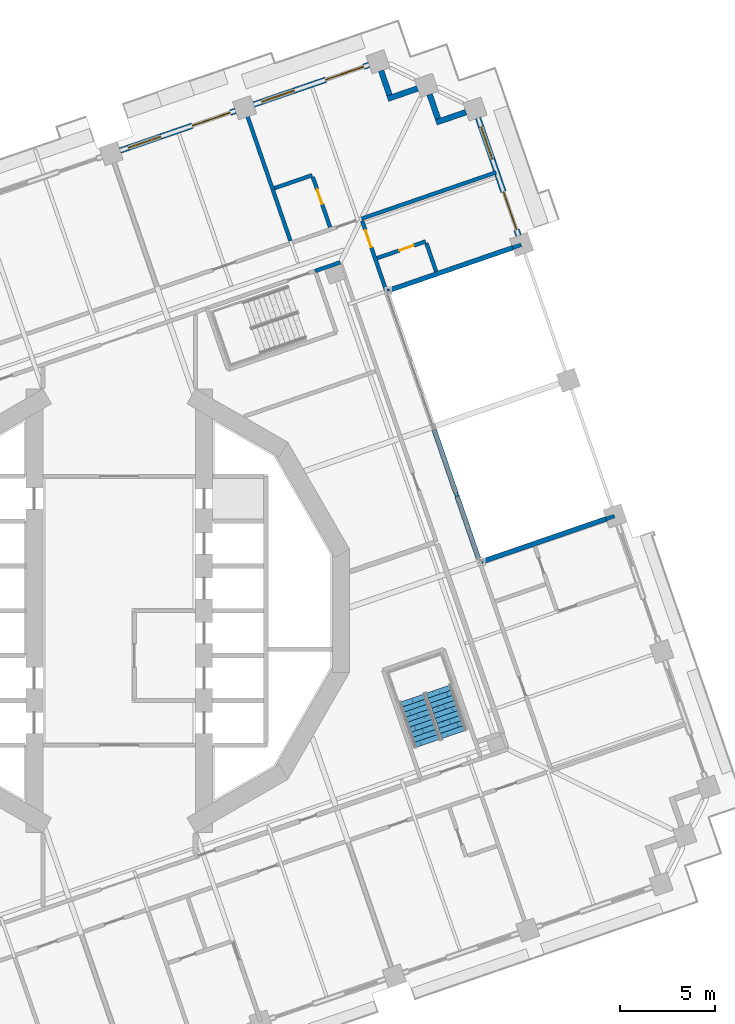
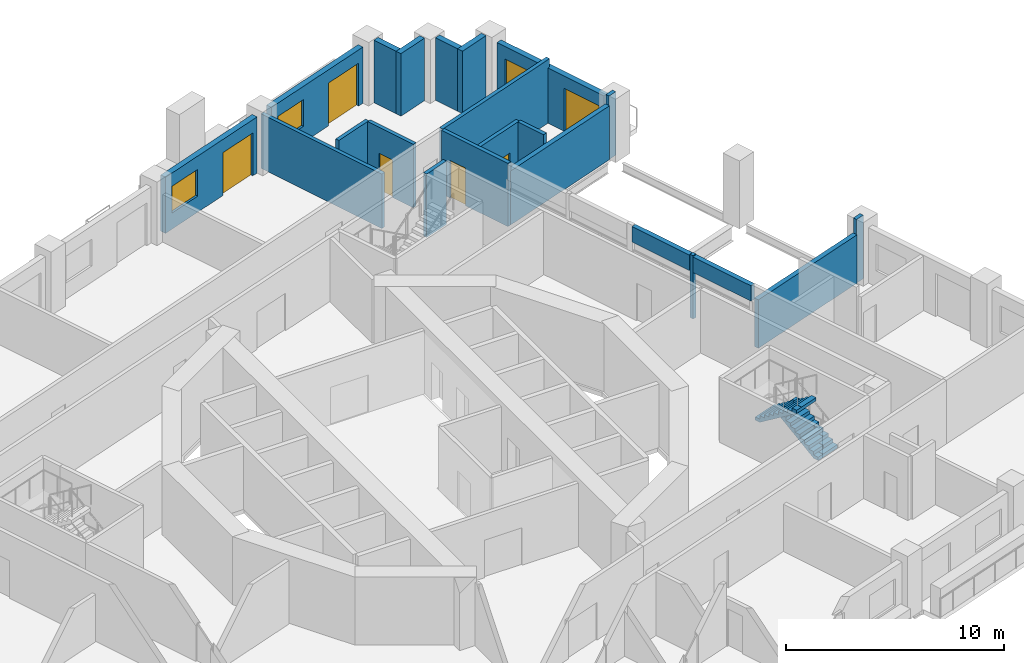
# One storey, part 12 of 19: 22 walls, 6 doors, 3 windows, 2 stair flights, 9 openings, 1 element without a shape of its own.
"""IFC4 building model written with IfcOpenShell, lengths in metres."""

from ifc_helpers import new_model, si_unit, direction, frame, frame_2d, origin, place, context, subcontext, project, spatial, polyline, rectangle, outline, extrude, material, layer, layer_set, type_object, element, fill, aggregate, save


model = new_model("IFC4")

# Units and contexts
model_context = context("Model", 3, precision=1e-05, world=origin(), true_north=direction((0.0, 1.0)))
body_context = subcontext(model_context, "Body", "Model", "MODEL_VIEW")
ifc_project = project(units=[si_unit("LENGTHUNIT", "METRE"), si_unit("AREAUNIT", "SQUARE_METRE"), si_unit("VOLUMEUNIT", "CUBIC_METRE"), si_unit("PLANEANGLEUNIT", "RADIAN"), si_unit("MASSUNIT", "GRAM", prefix="KILO")], contexts=[model_context])

# Site, building, storey
site_placement = place(None, origin())
site = spatial("IfcSite", under=ifc_project, at=site_placement, CompositionType="ELEMENT")
building_placement = place(site_placement, origin())
building = spatial("IfcBuilding", under=site, at=building_placement, Name="Cantera Rosa Tower", CompositionType="ELEMENT")
storey_placement = place(building_placement, frame((0.0, 0.0, 130.699951171875)))
storey = spatial("IfcBuildingStorey", under=building, at=storey_placement, Name="L27", CompositionType="ELEMENT", Elevation=130.699951171875)

# Walls
ifc_material_1 = material(Name="Gypsum board partition")
ifc_layer_1 = layer(ifc_material_1, 0.199951171875)
ifc_layer_set_1 = layer_set([ifc_layer_1], Name="CORRIDOR WALL 200 H3550")
wall_type_1 = type_object("IfcWallType", Name="CORRIDOR WALL 200 H3550", PredefinedType="PARTITIONING", material=ifc_layer_set_1)
wall_1_placement = place(storey_placement, frame((11.583984375, 18.2666015625, 0.0), z_axis=(0.0, 0.0, 1.0), x_axis=(-0.945503834334, -0.325610963052, 0.0)))
element("IfcWall", 1, at=wall_1_placement, inside=storey, type_object=wall_type_1, Name="CORRIDOR WALL L27-076", PredefinedType="PARTITIONING", context=body_context, shape_type="SweptSolid", body=[
    extrude(rectangle(XDim=1.38720703125, YDim=0.199951171875, at=frame_2d((0.693603515625, 0.0))), origin(), (0.0, 0.0, 1.0), 3.550048828125),
])
wall_2_placement = place(storey_placement, frame((17.712890625, 5.996337890625, 0.0), z_axis=(0.0, 0.0, 1.0), x_axis=(-0.326029477127, 0.945359603561, 0.0)))
element("IfcWall", 2, at=wall_2_placement, inside=storey, type_object=wall_type_1, Name="CORRIDOR WALL L27-099", PredefinedType="PARTITIONING", context=body_context, shape_type="SweptSolid", body=[
    extrude(rectangle(XDim=0.19384765625, YDim=0.199951171875, at=frame_2d((0.096923828125, 0.0))), origin(), (0.0, 0.0, 1.0), 3.550048828125),
])

# Wall, opening, door
wall_3_placement = place(storey_placement, frame((14.049560546875, 16.635498046875, 0.0), z_axis=(0.0, 0.0, 1.0), x_axis=(-0.325601838027, 0.945506976745, 0.0)))
wall_3 = element("IfcWall", 3, at=wall_3_placement, inside=storey, type_object=wall_type_1, Name="CORRIDOR WALL L27-102", PredefinedType="PARTITIONING", context=body_context, shape_type="SweptSolid", body=[
    extrude(rectangle(XDim=4.02490234375, YDim=0.199951171875, at=frame_2d((2.012451171875, 0.0))), origin(), (0.0, 0.0, 1.0), 3.550048828125),
])
opening_1_placement = place(wall_3_placement, frame((2.56005859375, 0.0, 0.0)))
opening_1 = element("IfcOpeningElement", 4, at=opening_1_placement, cuts=wall_3, Name="Opening L27-018", PredefinedType="OPENING", context=body_context, shape_type="SweptSolid", body=[
    extrude(rectangle(XDim=0.949951171875, YDim=2.10009765625, at=frame_2d((0.47509765625, 1.050048828125))), frame((0.0, 0.10986328125, 0.0), z_axis=(0.0, -1.0, 0.0), x_axis=(1.0, 0.0, 0.0)), (0.0, 0.0, 1.0), 0.219970703125),
])
ifc_material_2 = material(Name="Timber door leaf", Category="wood")
door_type_1 = type_object("IfcDoorType", Name="ROOM DOOR 950x2100", OperationType="NOTDEFINED", PredefinedType="DOOR", material=ifc_material_2)
door_1_placement = place(opening_1_placement, origin())
door_1 = element("IfcDoor", 5, at=door_1_placement, inside=storey, type_object=door_type_1, Name="DOOR L27-018", OperationType="NOTDEFINED", OverallHeight=2.10009765625, OverallWidth=0.949951171875, PredefinedType="DOOR", context=body_context, shape_type="SweptSolid", body=[
    extrude(rectangle(XDim=0.949951171875, YDim=2.10009765625, at=frame_2d((0.47509765625, 1.050048828125))), frame((0.0, 0.02490234375, 0.0), z_axis=(0.0, -1.0, 0.0), x_axis=(1.0, 0.0, 0.0)), (0.0, 0.0, 1.0), 0.050048828125),
])
fill(opening_1, door_1)

# Walls
ifc_material_3 = material(Name="Hollow clay masonry with cantera stone cladding", Category="masonry")
ifc_layer_2 = layer(ifc_material_3, 0.300048828125)
ifc_layer_set_2 = layer_set([ifc_layer_2], Name="EW-LOGGIA 300")
wall_type_2 = type_object("IfcWallType", Name="EW-LOGGIA 300", PredefinedType="SOLIDWALL", material=ifc_layer_set_2)
wall_4_placement = place(storey_placement, frame((18.17919921875, 26.142822265625, 0.0), z_axis=(0.0, 0.0, 1.0), x_axis=(-0.945530119553, -0.32553462645, 0.0)))
element("IfcWall", 6, at=wall_4_placement, inside=storey, type_object=wall_type_2, Name="EN-L27-W06a", PredefinedType="SOLIDWALL", context=body_context, shape_type="SweptSolid", body=[
    extrude(rectangle(XDim=1.64990234375, YDim=0.300048828125, at=frame_2d((0.824951171875, 0.0))), origin(), (0.0, 0.0, 1.0), 3.5),
])
wall_5_placement = place(storey_placement, frame((16.7119140625, 25.79638671875, 0.0), z_axis=(0.0, 0.0, 1.0), x_axis=(-0.325544748006, 0.945526634763, 0.0)))
element("IfcWall", 7, at=wall_5_placement, inside=storey, type_object=wall_type_2, Name="EN-L27-W06b", PredefinedType="SOLIDWALL", context=body_context, shape_type="SweptSolid", body=[
    extrude(rectangle(XDim=1.349853515625, YDim=0.300048828125, at=frame_2d((0.6748046875, 0.0))), origin(), (0.0, 0.0, 1.0), 3.5),
])
wall_6_placement = place(storey_placement, frame((15.636962890625, 27.3828125, 0.0), z_axis=(0.0, 0.0, 1.0), x_axis=(-0.945484566827, -0.325666906351, 0.0)))
element("IfcWall", 8, at=wall_6_placement, inside=storey, type_object=wall_type_2, Name="EN-L27-W07a", PredefinedType="SOLIDWALL", context=body_context, shape_type="SweptSolid", body=[
    extrude(rectangle(XDim=1.64990234375, YDim=0.300048828125, at=frame_2d((0.824951171875, 0.0))), origin(), (0.0, 0.0, 1.0), 3.5),
])
wall_7_placement = place(storey_placement, frame((14.169921875, 27.0361328125, 0.0), z_axis=(0.0, 0.0, 1.0), x_axis=(-0.325650742363, 0.945490134268, 0.0)))
element("IfcWall", 9, at=wall_7_placement, inside=storey, type_object=wall_type_2, Name="EN-L27-W07b", PredefinedType="SOLIDWALL", context=body_context, shape_type="SweptSolid", body=[
    extrude(rectangle(XDim=1.35009765625, YDim=0.300048828125, at=frame_2d((0.675048828125, 0.0))), origin(), (0.0, 0.0, 1.0), 3.5),
])

# Wall, openings, window, door
ifc_material_4 = material(Name="Hollow clay masonry with cantera stone cladding", Category="masonry")
ifc_layer_3 = layer(ifc_material_4, 0.300048828125)
ifc_layer_set_3 = layer_set([ifc_layer_3], Name="EW-LOGGIA 300 H3090")
wall_type_3 = type_object("IfcWallType", Name="EW-LOGGIA 300 H3090", PredefinedType="SOLIDWALL", material=ifc_layer_set_3)
wall_8_placement = place(storey_placement, frame((20.9375, 19.668212890625, 0.0), z_axis=(0.0, 0.0, 1.0), x_axis=(-0.325592517631, 0.945510186335, 0.0)))
wall_8 = element("IfcWall", 10, at=wall_8_placement, inside=storey, type_object=wall_type_3, Name="EN-L27-W05", PredefinedType="SOLIDWALL", context=body_context, shape_type="SweptSolid", body=[
    extrude(rectangle(XDim=6.519775390625, YDim=0.300048828125, at=frame_2d((3.259765625, 0.0))), origin(), (0.0, 0.0, 1.0), 3.090087890625),
])
opening_2_placement = place(wall_8_placement, frame((0.330078125, 0.0, 0.0)))
opening_2 = element("IfcOpeningElement", 11, at=opening_2_placement, cuts=wall_8, Name="Opening L27-TD05", PredefinedType="OPENING", context=body_context, shape_type="SweptSolid", body=[
    extrude(rectangle(XDim=2.10009765625, YDim=2.39990234375, at=frame_2d((1.050048828125, 1.199951171875))), frame((0.0, 0.159912109375, 0.0), z_axis=(0.0, -1.0, 0.0), x_axis=(1.0, 0.0, 0.0)), (0.0, 0.0, 1.0), 0.320068359375),
])
opening_3_placement = place(wall_8_placement, frame((4.239990234375, 0.0, 0.89990234375)))
opening_3 = element("IfcOpeningElement", 12, at=opening_3_placement, cuts=wall_8, Name="Opening L27-W06", PredefinedType="OPENING", context=body_context, shape_type="SweptSolid", body=[
    extrude(rectangle(XDim=1.800048828125, YDim=1.5, at=frame_2d((0.89990234375, 0.75))), frame((0.0, 0.159912109375, 0.0), z_axis=(0.0, -1.0, 0.0), x_axis=(1.0, 0.0, 0.0)), (0.0, 0.0, 1.0), 0.320068359375),
])
ifc_material_5 = material(Name="Aluminium frame with clear glass", Category="aluminium")
window_type = type_object("IfcWindowType", Name="Hotel room window 1800x1500", PartitioningType="DOUBLE_PANEL_VERTICAL", PredefinedType="WINDOW", material=ifc_material_5)
window_1_placement = place(opening_3_placement, origin())
window_1 = element("IfcWindow", 13, at=window_1_placement, inside=storey, type_object=window_type, Name="WINDOW L27-W06", OverallHeight=1.5, OverallWidth=1.800048828125, PartitioningType="SINGLE_PANEL", PredefinedType="WINDOW", context=body_context, shape_type="SweptSolid", body=[
    extrude(rectangle(XDim=1.800048828125, YDim=1.5, at=frame_2d((0.89990234375, 0.75))), frame((0.0, 0.030029296875, 0.0), z_axis=(0.0, -1.0, 0.0), x_axis=(1.0, 0.0, 0.0)), (0.0, 0.0, 1.0), 0.06005859375),
])
fill(opening_3, window_1)
ifc_material_6 = material(Name="Aluminium frame with clear glass", Category="aluminium")
door_type_2 = type_object("IfcDoorType", Name="TD-H 2100x2400", OperationType="NOTDEFINED", PredefinedType="DOOR", material=ifc_material_6)
door_2_placement = place(opening_2_placement, origin())
door_2 = element("IfcDoor", 14, at=door_2_placement, inside=storey, type_object=door_type_2, Name="LOGGIA DOOR L27-TD05", OperationType="SLIDING_TO_LEFT", OverallHeight=2.39990234375, OverallWidth=2.10009765625, PredefinedType="DOOR", context=body_context, shape_type="SweptSolid", body=[
    extrude(rectangle(XDim=2.10009765625, YDim=2.39990234375, at=frame_2d((1.050048828125, 1.199951171875))), frame((0.0, 0.02490234375, 0.0), z_axis=(0.0, -1.0, 0.0), x_axis=(1.0, 0.0, 0.0)), (0.0, 0.0, 1.0), 0.050048828125),
])
fill(opening_2, door_2)

ifc_material_7 = material(Name="Hollow clay masonry with cantera stone cladding", Category="masonry")
ifc_layer_4 = layer(ifc_material_7, 0.300048828125)
ifc_layer_set_4 = layer_set([ifc_layer_4], Name="EW-LOGGIA 300 H3140")
wall_type_4 = type_object("IfcWallType", Name="EW-LOGGIA 300 H3140", PredefinedType="SOLIDWALL", material=ifc_layer_set_4)
wall_9_placement = place(storey_placement, frame((13.0947265625, 28.62255859375, 0.0), z_axis=(0.0, 0.0, 1.0), x_axis=(-0.945524496524, -0.325550958337, 0.0)))
wall_9 = element("IfcWall", 15, at=wall_9_placement, inside=storey, type_object=wall_type_4, Name="EN-L27-W08", PredefinedType="SOLIDWALL", context=body_context, shape_type="SweptSolid", body=[
    extrude(rectangle(XDim=6.39990234375, YDim=0.300048828125, at=frame_2d((3.199951171875, 0.0))), origin(), (0.0, 0.0, 1.0), 3.14013671875),
])
opening_4_placement = place(wall_9_placement, frame((0.300048828125, 0.0, 0.0)))
opening_4 = element("IfcOpeningElement", 16, at=opening_4_placement, cuts=wall_9, Name="Opening L27-TD07", PredefinedType="OPENING", context=body_context, shape_type="SweptSolid", body=[
    extrude(rectangle(XDim=2.10009765625, YDim=2.39990234375, at=frame_2d((1.050048828125, 1.199951171875))), frame((0.0, 0.159912109375, 0.0), z_axis=(0.0, -1.0, 0.0), x_axis=(1.0, 0.0, 0.0)), (0.0, 0.0, 1.0), 0.320068359375),
])
opening_5_placement = place(wall_9_placement, frame((4.14990234375, 0.0, 0.89990234375)))
opening_5 = element("IfcOpeningElement", 17, at=opening_5_placement, cuts=wall_9, Name="Opening L27-W08", PredefinedType="OPENING", context=body_context, shape_type="SweptSolid", body=[
    extrude(rectangle(XDim=1.800048828125, YDim=1.5, at=frame_2d((0.89990234375, 0.75))), frame((0.0, 0.159912109375, 0.0), z_axis=(0.0, -1.0, 0.0), x_axis=(1.0, 0.0, 0.0)), (0.0, 0.0, 1.0), 0.320068359375),
])
window_2_placement = place(opening_5_placement, origin())
window_2 = element("IfcWindow", 18, at=window_2_placement, inside=storey, type_object=window_type, Name="WINDOW L27-W08", OverallHeight=1.5, OverallWidth=1.800048828125, PartitioningType="SINGLE_PANEL", PredefinedType="WINDOW", context=body_context, shape_type="SweptSolid", body=[
    extrude(rectangle(XDim=1.800048828125, YDim=1.5, at=frame_2d((0.89990234375, 0.75))), frame((0.0, 0.030029296875, 0.0), z_axis=(0.0, -1.0, 0.0), x_axis=(1.0, 0.0, 0.0)), (0.0, 0.0, 1.0), 0.06005859375),
])
fill(opening_5, window_2)
door_3_placement = place(opening_4_placement, origin())
door_3 = element("IfcDoor", 19, at=door_3_placement, inside=storey, type_object=door_type_2, Name="LOGGIA DOOR L27-TD07", OperationType="SLIDING_TO_LEFT", OverallHeight=2.39990234375, OverallWidth=2.10009765625, PredefinedType="DOOR", context=body_context, shape_type="SweptSolid", body=[
    extrude(rectangle(XDim=2.10009765625, YDim=2.39990234375, at=frame_2d((1.050048828125, 1.199951171875))), frame((0.0, 0.02490234375, 0.0), z_axis=(0.0, -1.0, 0.0), x_axis=(1.0, 0.0, 0.0)), (0.0, 0.0, 1.0), 0.050048828125),
])
fill(opening_4, door_3)

wall_10_placement = place(storey_placement, frame((6.097900390625, 26.21337890625, 0.0), z_axis=(0.0, 0.0, 1.0), x_axis=(-0.945524496524, -0.325550958337, 0.0)))
wall_10 = element("IfcWall", 20, at=wall_10_placement, inside=storey, type_object=wall_type_4, Name="EN-L27-W09", PredefinedType="SOLIDWALL", context=body_context, shape_type="SweptSolid", body=[
    extrude(rectangle(XDim=6.39990234375, YDim=0.300048828125, at=frame_2d((3.199951171875, 0.0))), origin(), (0.0, 0.0, 1.0), 3.14013671875),
])
opening_6_placement = place(wall_10_placement, frame((0.300048828125, 0.0, 0.0)))
opening_6 = element("IfcOpeningElement", 21, at=opening_6_placement, cuts=wall_10, Name="Opening L27-TD09", PredefinedType="OPENING", context=body_context, shape_type="SweptSolid", body=[
    extrude(rectangle(XDim=2.10009765625, YDim=2.39990234375, at=frame_2d((1.050048828125, 1.199951171875))), frame((0.0, 0.159912109375, 0.0), z_axis=(0.0, -1.0, 0.0), x_axis=(1.0, 0.0, 0.0)), (0.0, 0.0, 1.0), 0.320068359375),
])
opening_7_placement = place(wall_10_placement, frame((4.14990234375, 0.0, 0.89990234375)))
opening_7 = element("IfcOpeningElement", 22, at=opening_7_placement, cuts=wall_10, Name="Opening L27-W10", PredefinedType="OPENING", context=body_context, shape_type="SweptSolid", body=[
    extrude(rectangle(XDim=1.800048828125, YDim=1.5, at=frame_2d((0.89990234375, 0.75))), frame((0.0, 0.159912109375, 0.0), z_axis=(0.0, -1.0, 0.0), x_axis=(1.0, 0.0, 0.0)), (0.0, 0.0, 1.0), 0.320068359375),
])
window_3_placement = place(opening_7_placement, origin())
window_3 = element("IfcWindow", 23, at=window_3_placement, inside=storey, type_object=window_type, Name="WINDOW L27-W10", OverallHeight=1.5, OverallWidth=1.800048828125, PartitioningType="SINGLE_PANEL", PredefinedType="WINDOW", context=body_context, shape_type="SweptSolid", body=[
    extrude(rectangle(XDim=1.800048828125, YDim=1.5, at=frame_2d((0.89990234375, 0.75))), frame((0.0, 0.030029296875, 0.0), z_axis=(0.0, -1.0, 0.0), x_axis=(1.0, 0.0, 0.0)), (0.0, 0.0, 1.0), 0.06005859375),
])
fill(opening_7, window_3)
door_4_placement = place(opening_6_placement, origin())
door_4 = element("IfcDoor", 24, at=door_4_placement, inside=storey, type_object=door_type_2, Name="LOGGIA DOOR L27-TD09", OperationType="SLIDING_TO_LEFT", OverallHeight=2.39990234375, OverallWidth=2.10009765625, PredefinedType="DOOR", context=body_context, shape_type="SweptSolid", body=[
    extrude(rectangle(XDim=2.10009765625, YDim=2.39990234375, at=frame_2d((1.050048828125, 1.199951171875))), frame((0.0, 0.02490234375, 0.0), z_axis=(0.0, -1.0, 0.0), x_axis=(1.0, 0.0, 0.0)), (0.0, 0.0, 1.0), 0.050048828125),
])
fill(opening_6, door_4)

# Walls
ifc_material_8 = material(Name="Concrete C40/50", Category="concrete")
ifc_layer_5 = layer(ifc_material_8, 0.25)
ifc_layer_set_5 = layer_set([ifc_layer_5], Name="EW-POCKET CHEEK 250 H2710")
wall_type_5 = type_object("IfcWallType", Name="EW-POCKET CHEEK 250 H2710", PredefinedType="SOLIDWALL", material=ifc_layer_set_5)
wall_11_placement = place(storey_placement, frame((25.52392578125, 4.81201171875, 0.0), z_axis=(0.0, 0.0, 1.0), x_axis=(-0.945509017246, -0.325595912607, 0.0)))
element("IfcWall", 25, at=wall_11_placement, inside=storey, type_object=wall_type_5, Name="POCKET CHEEK A L27", PredefinedType="SOLIDWALL", context=body_context, shape_type="SweptSolid", body=[
    extrude(rectangle(XDim=6.89990234375, YDim=0.25, at=frame_2d((3.449951171875, 0.0))), origin(), (0.0, 0.0, 1.0), 2.7099609375),
])
ifc_material_9 = material(Name="Concrete C40/50", Category="concrete")
ifc_layer_6 = layer(ifc_material_9, 0.25)
ifc_layer_set_6 = layer_set([ifc_layer_6], Name="EW-POCKET CHEEK 250 H3020")
wall_type_6 = type_object("IfcWallType", Name="EW-POCKET CHEEK 250 H3020", PredefinedType="SOLIDWALL", material=ifc_layer_set_6)
wall_12_placement = place(storey_placement, frame((20.62744140625, 19.032470703125, 0.0), z_axis=(0.0, 0.0, 1.0), x_axis=(-0.945523659879, -0.325553388263, 0.0)))
element("IfcWall", 26, at=wall_12_placement, inside=storey, type_object=wall_type_6, Name="POCKET CHEEK B L27", PredefinedType="SOLIDWALL", context=body_context, shape_type="SweptSolid", body=[
    extrude(rectangle(XDim=6.900146484375, YDim=0.25, at=frame_2d((3.4501953125, 0.0))), origin(), (0.0, 0.0, 1.0), 3.02001953125),
])
ifc_material_10 = material(Name="Hollow clay masonry with cantera stone cladding", Category="masonry")
ifc_layer_7 = layer(ifc_material_10, 0.25)
ifc_layer_set_7 = layer_set([ifc_layer_7], Name="EW-POCKET REAR 250")
wall_type_7 = type_object("IfcWallType", Name="EW-POCKET REAR 250", PredefinedType="SOLIDWALL", material=ifc_layer_set_7)
wall_13_placement = place(storey_placement, frame((18.86474609375, 2.651123046875, 2.634033203125), z_axis=(0.0, 0.0, 1.0), x_axis=(-0.325569575998, 0.945518086122, 0.0)))
element("IfcWall", 27, at=wall_13_placement, inside=storey, type_object=wall_type_7, Name="POCKET SPANDREL L27-1", PredefinedType="SOLIDWALL", context=body_context, shape_type="SweptSolid", body=[
    extrude(rectangle(XDim=3.5380859375, YDim=0.25, at=frame_2d((1.76904296875, 0.0))), origin(), (0.0, 0.0, 1.0), 0.865966796875),
])
wall_14_placement = place(storey_placement, frame((17.649658203125, 6.179931640625, 2.634033203125), z_axis=(0.0, 0.0, 1.0), x_axis=(-0.325616284174, 0.945502001838, 0.0)))
element("IfcWall", 28, at=wall_14_placement, inside=storey, type_object=wall_type_7, Name="POCKET SPANDREL L27-2", PredefinedType="SOLIDWALL", context=body_context, shape_type="SweptSolid", body=[
    extrude(rectangle(XDim=3.4970703125, YDim=0.25, at=frame_2d((1.74853515625, 0.0))), origin(), (0.0, 0.0, 1.0), 0.865966796875),
])
ifc_material_11 = material(Name="Gypsum board partition")
ifc_layer_8 = layer(ifc_material_11, 0.199951171875)
ifc_layer_set_8 = layer_set([ifc_layer_8], Name="PARTITION 200 H3550")
wall_type_8 = type_object("IfcWallType", Name="PARTITION 200 H3550", PredefinedType="PARTITIONING", material=ifc_layer_set_8)
wall_15_placement = place(storey_placement, frame((8.13037109375, 22.154052734375, 0.0), z_axis=(0.0, 0.0, 1.0), x_axis=(0.945533479579, 0.32552486694, 0.0)))
element("IfcWall", 29, at=wall_15_placement, inside=storey, type_object=wall_type_8, Name="PARTITION L27-071", PredefinedType="PARTITIONING", context=body_context, shape_type="SweptSolid", body=[
    extrude(rectangle(XDim=2.099853515625, YDim=0.199951171875, at=frame_2d((1.0498046875, 0.0))), origin(), (0.0, 0.0, 1.0), 3.550048828125),
])

# Wall, opening, door
wall_16_placement = place(storey_placement, frame((10.1484375, 22.7431640625, 0.0), z_axis=(0.0, 0.0, 1.0), x_axis=(0.325617188453, -0.945501690418, 0.0)))
wall_16 = element("IfcWall", 30, at=wall_16_placement, inside=storey, type_object=wall_type_8, Name="PARTITION L27-072", PredefinedType="PARTITIONING", context=body_context, shape_type="SweptSolid", body=[
    extrude(rectangle(XDim=2.7802734375, YDim=0.199951171875, at=frame_2d((1.39013671875, 0.0))), origin(), (0.0, 0.0, 1.0), 3.550048828125),
])
opening_8_placement = place(wall_16_placement, frame((0.699951171875, 0.0, 0.0)))
opening_8 = element("IfcOpeningElement", 31, at=opening_8_placement, cuts=wall_16, Name="Opening L27-025", PredefinedType="OPENING", context=body_context, shape_type="SweptSolid", body=[
    extrude(rectangle(XDim=0.800048828125, YDim=2.10009765625, at=frame_2d((0.39990234375, 1.050048828125))), frame((0.0, 0.10986328125, 0.0), z_axis=(0.0, -1.0, 0.0), x_axis=(1.0, 0.0, 0.0)), (0.0, 0.0, 1.0), 0.219970703125),
])
ifc_material_12 = material(Name="Timber door leaf", Category="wood")
door_type_3 = type_object("IfcDoorType", Name="BATHROOM DOOR 800x2100", OperationType="NOTDEFINED", PredefinedType="DOOR", material=ifc_material_12)
door_5_placement = place(opening_8_placement, origin())
door_5 = element("IfcDoor", 32, at=door_5_placement, inside=storey, type_object=door_type_3, Name="DOOR L27-025", OperationType="NOTDEFINED", OverallHeight=2.10009765625, OverallWidth=0.800048828125, PredefinedType="DOOR", context=body_context, shape_type="SweptSolid", body=[
    extrude(rectangle(XDim=0.800048828125, YDim=2.10009765625, at=frame_2d((0.39990234375, 1.050048828125))), frame((0.0, 0.02490234375, 0.0), z_axis=(0.0, -1.0, 0.0), x_axis=(1.0, 0.0, 0.0)), (0.0, 0.0, 1.0), 0.050048828125),
])
fill(opening_8, door_5)

wall_17_placement = place(storey_placement, frame((13.517333984375, 18.488037109375, 0.0), z_axis=(0.0, 0.0, 1.0), x_axis=(0.945508383903, 0.325597751787, 0.0)))
wall_17 = element("IfcWall", 33, at=wall_17_placement, inside=storey, type_object=wall_type_8, Name="PARTITION L27-080", PredefinedType="PARTITIONING", context=body_context, shape_type="SweptSolid", body=[
    extrude(rectangle(XDim=2.7001953125, YDim=0.199951171875, at=frame_2d((1.35009765625, 0.0))), origin(), (0.0, 0.0, 1.0), 3.550048828125),
])
opening_9_placement = place(wall_17_placement, frame((1.236083984375, 0.0, 0.0)))
opening_9 = element("IfcOpeningElement", 34, at=opening_9_placement, cuts=wall_17, Name="Opening L27-019", PredefinedType="OPENING", context=body_context, shape_type="SweptSolid", body=[
    extrude(rectangle(XDim=0.800048828125, YDim=2.10009765625, at=frame_2d((0.39990234375, 1.050048828125))), frame((0.0, 0.10986328125, 0.0), z_axis=(0.0, -1.0, 0.0), x_axis=(1.0, 0.0, 0.0)), (0.0, 0.0, 1.0), 0.219970703125),
])
door_6_placement = place(opening_9_placement, origin())
door_6 = element("IfcDoor", 35, at=door_6_placement, inside=storey, type_object=door_type_3, Name="DOOR L27-019", OperationType="NOTDEFINED", OverallHeight=2.10009765625, OverallWidth=0.800048828125, PredefinedType="DOOR", context=body_context, shape_type="SweptSolid", body=[
    extrude(rectangle(XDim=0.800048828125, YDim=2.10009765625, at=frame_2d((0.39990234375, 1.050048828125))), frame((0.0, 0.02490234375, 0.0), z_axis=(0.0, -1.0, 0.0), x_axis=(1.0, 0.0, 0.0)), (0.0, 0.0, 1.0), 0.050048828125),
])
fill(opening_9, door_6)

# Walls
wall_18_placement = place(storey_placement, frame((16.102783203125, 19.2724609375, 0.0), z_axis=(0.0, 0.0, 1.0), x_axis=(0.325572385244, -0.945517118812, 0.0)))
element("IfcWall", 36, at=wall_18_placement, inside=storey, type_object=wall_type_8, Name="PARTITION L27-083", PredefinedType="PARTITIONING", context=body_context, shape_type="SweptSolid", body=[
    extrude(rectangle(XDim=1.56494140625, YDim=0.199951171875, at=frame_2d((0.782470703125, 0.0))), origin(), (0.0, 0.0, 1.0), 3.550048828125),
])
wall_19_placement = place(storey_placement, frame((25.52392578125, 4.81201171875, 0.0), z_axis=(0.0, 0.0, 1.0), x_axis=(0.945521865576, 0.325558599515, 0.0)))
element("IfcWall", 37, at=wall_19_placement, inside=storey, type_object=wall_type_8, Name="PARTITION L27-089", PredefinedType="PARTITIONING", context=body_context, shape_type="SweptSolid", body=[
    extrude(rectangle(XDim=0.47021484375, YDim=0.199951171875, at=frame_2d((0.235107421875, 0.0))), origin(), (0.0, 0.0, 1.0), 3.550048828125),
])
wall_20_placement = place(storey_placement, frame((21.07177734375, 19.185546875, 0.0), z_axis=(0.0, 0.0, 1.0), x_axis=(-0.945626684637, -0.325254013507, 0.0)))
element("IfcWall", 38, at=wall_20_placement, inside=storey, type_object=wall_type_8, Name="PARTITION L27-096", PredefinedType="PARTITIONING", context=body_context, shape_type="SweptSolid", body=[
    extrude(rectangle(XDim=0.469970703125, YDim=0.199951171875, at=frame_2d((0.23486328125, 0.0))), origin(), (0.0, 0.0, 1.0), 3.550048828125),
])
ifc_material_13 = material(Name="Gypsum board partition")
ifc_layer_9 = layer(ifc_material_13, 0.199951171875)
ifc_layer_set_9 = layer_set([ifc_layer_9], Name="PARTY WALL 200 H3050")
wall_type_9 = type_object("IfcWallType", Name="PARTY WALL 200 H3050", PredefinedType="PARTITIONING", material=ifc_layer_set_9)
wall_21_placement = place(storey_placement, frame((6.58056640625, 26.347900390625, 0.0), z_axis=(0.0, 0.0, 1.0), x_axis=(0.325549451152, -0.945525015457, 0.0)))
element("IfcWall", 39, at=wall_21_placement, inside=storey, type_object=wall_type_9, Name="PARTY WALL L27-064", PredefinedType="PARTITIONING", context=body_context, shape_type="SweptSolid", body=[
    extrude(rectangle(XDim=7.35009765625, YDim=0.199951171875, at=frame_2d((3.675048828125, 0.0))), origin(), (0.0, 0.0, 1.0), 3.050048828125),
])
ifc_material_14 = material(Name="Gypsum board partition")
ifc_layer_10 = layer(ifc_material_14, 0.199951171875)
ifc_layer_set_10 = layer_set([ifc_layer_10], Name="PARTY WALL 200 H3550")
wall_type_10 = type_object("IfcWallType", Name="PARTY WALL 200 H3550", PredefinedType="PARTITIONING", material=ifc_layer_set_10)
wall_22_placement = place(storey_placement, frame((12.699951171875, 20.5546875, 0.0), z_axis=(0.0, 0.0, 1.0), x_axis=(0.945522578269, 0.325556529628, 0.0)))
element("IfcWall", 40, at=wall_22_placement, inside=storey, type_object=wall_type_10, Name="PARTY WALL L27-079", PredefinedType="PARTITIONING", context=body_context, shape_type="SweptSolid", body=[
    extrude(rectangle(XDim=7.469970703125, YDim=0.199951171875, at=frame_2d((3.73486328125, 0.0))), origin(), (0.0, 0.0, 1.0), 3.550048828125),
])

# Stair, stair flights
ifc_material_15 = material(Name="Concrete C35/45", Category="concrete")
stair_type = type_object("IfcStairType", Name="EXIT STAIR 1350 DOGLEG", PredefinedType="HALF_TURN_STAIR", material=ifc_material_15)
stair_placement = place(storey_placement, origin())
stair = element("IfcStair", 41, at=stair_placement, inside=storey, type_object=stair_type, Name="L27 ST-23", PredefinedType="HALF_TURN_STAIR")
ifc_material_16 = material(Name="Concrete C35/45", Category="concrete")
stair_flight_type = type_object("IfcStairFlightType", Name="STAIR FLIGHT 1350 R20x190", PredefinedType="STRAIGHT", material=ifc_material_16)
stair_flight_1_placement = place(storey_placement, frame((17.56494140625, -6.4794921875, 0.0), z_axis=(0.0, 0.0, 1.0), x_axis=(-0.325568154457, 0.945518575599, 0.0)))
stair_flight_1 = element("IfcStairFlight", 42, at=stair_flight_1_placement, type_object=stair_flight_type, Name="ST-23 flight 1", NumberOfRisers=10, NumberOfTreads=9, PredefinedType="STRAIGHT", RiserHeight=0.19, TreadLength=0.28, context=body_context, shape_type="SweptSolid", body=[
    extrude(outline(polyline([(0.0, 0.0), (0.0, 0.18994140625), (0.280029296875, 0.18994140625), (0.280029296875, 0.3798828125), (0.56005859375, 0.3798828125), (0.56005859375, 0.570068359375), (0.840087890625, 0.570068359375), (0.840087890625, 0.760009765625), (1.1201171875, 0.760009765625), (1.1201171875, 0.949951171875), (1.39990234375, 0.949951171875), (1.39990234375, 1.139892578125), (1.679931640625, 1.139892578125), (1.679931640625, 1.330078125), (1.9599609375, 1.330078125), (1.9599609375, 1.52001953125), (2.239990234375, 1.52001953125), (2.239990234375, 1.7099609375), (2.52001953125, 1.7099609375), (2.52001953125, 1.89990234375), (2.52001953125, 1.52880859375), (0.266845703125, 0.0), (0.0, 0.0)])), frame((0.0, 0.675048828125, 0.0), z_axis=(0.0, -1.0, 0.0), x_axis=(1.0, 0.0, 0.0)), (0.0, 0.0, 1.0), 0.3359375),
    extrude(outline(polyline([(0.0, 0.0), (0.0, 0.18994140625), (0.280029296875, 0.18994140625), (0.280029296875, 0.3798828125), (0.56005859375, 0.3798828125), (0.56005859375, 0.570068359375), (0.840087890625, 0.570068359375), (0.840087890625, 0.760009765625), (1.1201171875, 0.760009765625), (1.1201171875, 0.949951171875), (1.39990234375, 0.949951171875), (1.39990234375, 1.139892578125), (1.679931640625, 1.139892578125), (1.679931640625, 1.330078125), (1.9599609375, 1.330078125), (1.9599609375, 1.52001953125), (2.239990234375, 1.52001953125), (2.239990234375, 1.7099609375), (2.52001953125, 1.7099609375), (2.52001953125, 1.89990234375), (2.52001953125, 1.52880859375), (0.266845703125, 0.0), (0.0, 0.0)])), frame((0.0, 0.337158203125, 0.0), z_axis=(0.0, -1.0, 0.0), x_axis=(1.0, 0.0, 0.0)), (0.0, 0.0, 1.0), 0.3359375),
    extrude(outline(polyline([(0.0, 0.0), (0.0, 0.18994140625), (0.280029296875, 0.18994140625), (0.280029296875, 0.3798828125), (0.56005859375, 0.3798828125), (0.56005859375, 0.570068359375), (0.840087890625, 0.570068359375), (0.840087890625, 0.760009765625), (1.1201171875, 0.760009765625), (1.1201171875, 0.949951171875), (1.39990234375, 0.949951171875), (1.39990234375, 1.139892578125), (1.679931640625, 1.139892578125), (1.679931640625, 1.330078125), (1.9599609375, 1.330078125), (1.9599609375, 1.52001953125), (2.239990234375, 1.52001953125), (2.239990234375, 1.7099609375), (2.52001953125, 1.7099609375), (2.52001953125, 1.89990234375), (2.52001953125, 1.52880859375), (0.266845703125, 0.0), (0.0, 0.0)])), frame((0.0, -0.000732421875, 0.0), z_axis=(0.0, -1.0, 0.0), x_axis=(1.0, 0.0, 0.0)), (0.0, 0.0, 1.0), 0.3359375),
    extrude(outline(polyline([(0.0, 0.0), (0.0, 0.18994140625), (0.280029296875, 0.18994140625), (0.280029296875, 0.3798828125), (0.56005859375, 0.3798828125), (0.56005859375, 0.570068359375), (0.840087890625, 0.570068359375), (0.840087890625, 0.760009765625), (1.1201171875, 0.760009765625), (1.1201171875, 0.949951171875), (1.39990234375, 0.949951171875), (1.39990234375, 1.139892578125), (1.679931640625, 1.139892578125), (1.679931640625, 1.330078125), (1.9599609375, 1.330078125), (1.9599609375, 1.52001953125), (2.239990234375, 1.52001953125), (2.239990234375, 1.7099609375), (2.52001953125, 1.7099609375), (2.52001953125, 1.89990234375), (2.52001953125, 1.52880859375), (0.266845703125, 0.0), (0.0, 0.0)])), frame((0.0, -0.338623046875, 0.0), z_axis=(0.0, -1.0, 0.0), x_axis=(1.0, 0.0, 0.0)), (0.0, 0.0, 1.0), 0.3359375),
])
stair_flight_2_placement = place(storey_placement, frame((15.326171875, -4.585205078125, 1.900146484375), z_axis=(0.0, 0.0, 1.0), x_axis=(0.325568154457, -0.945518575599, 0.0)))
stair_flight_2 = element("IfcStairFlight", 43, at=stair_flight_2_placement, type_object=stair_flight_type, Name="ST-23 flight 2", NumberOfRisers=10, NumberOfTreads=9, PredefinedType="STRAIGHT", RiserHeight=0.19, TreadLength=0.28, context=body_context, shape_type="SweptSolid", body=[
    extrude(outline(polyline([(0.0, 0.0), (0.0, 0.18994140625), (0.280029296875, 0.18994140625), (0.280029296875, 0.3798828125), (0.56005859375, 0.3798828125), (0.56005859375, 0.570068359375), (0.840087890625, 0.570068359375), (0.840087890625, 0.760009765625), (1.1201171875, 0.760009765625), (1.1201171875, 0.949951171875), (1.39990234375, 0.949951171875), (1.39990234375, 1.139892578125), (1.679931640625, 1.139892578125), (1.679931640625, 1.330078125), (1.9599609375, 1.330078125), (1.9599609375, 1.52001953125), (2.239990234375, 1.52001953125), (2.239990234375, 1.7099609375), (2.52001953125, 1.7099609375), (2.52001953125, 1.89990234375), (2.52001953125, 1.52880859375), (0.266845703125, 0.0), (0.0, 0.0)])), frame((0.0, 0.675048828125, 0.0), z_axis=(0.0, -1.0, 0.0), x_axis=(1.0, 0.0, 0.0)), (0.0, 0.0, 1.0), 0.3359375),
    extrude(outline(polyline([(0.0, 0.0), (0.0, 0.18994140625), (0.280029296875, 0.18994140625), (0.280029296875, 0.3798828125), (0.56005859375, 0.3798828125), (0.56005859375, 0.570068359375), (0.840087890625, 0.570068359375), (0.840087890625, 0.760009765625), (1.1201171875, 0.760009765625), (1.1201171875, 0.949951171875), (1.39990234375, 0.949951171875), (1.39990234375, 1.139892578125), (1.679931640625, 1.139892578125), (1.679931640625, 1.330078125), (1.9599609375, 1.330078125), (1.9599609375, 1.52001953125), (2.239990234375, 1.52001953125), (2.239990234375, 1.7099609375), (2.52001953125, 1.7099609375), (2.52001953125, 1.89990234375), (2.52001953125, 1.52880859375), (0.266845703125, 0.0), (0.0, 0.0)])), frame((0.0, 0.337158203125, 0.0), z_axis=(0.0, -1.0, 0.0), x_axis=(1.0, 0.0, 0.0)), (0.0, 0.0, 1.0), 0.3359375),
    extrude(outline(polyline([(0.0, 0.0), (0.0, 0.18994140625), (0.280029296875, 0.18994140625), (0.280029296875, 0.3798828125), (0.56005859375, 0.3798828125), (0.56005859375, 0.570068359375), (0.840087890625, 0.570068359375), (0.840087890625, 0.760009765625), (1.1201171875, 0.760009765625), (1.1201171875, 0.949951171875), (1.39990234375, 0.949951171875), (1.39990234375, 1.139892578125), (1.679931640625, 1.139892578125), (1.679931640625, 1.330078125), (1.9599609375, 1.330078125), (1.9599609375, 1.52001953125), (2.239990234375, 1.52001953125), (2.239990234375, 1.7099609375), (2.52001953125, 1.7099609375), (2.52001953125, 1.89990234375), (2.52001953125, 1.52880859375), (0.266845703125, 0.0), (0.0, 0.0)])), frame((0.0, -0.000732421875, 0.0), z_axis=(0.0, -1.0, 0.0), x_axis=(1.0, 0.0, 0.0)), (0.0, 0.0, 1.0), 0.3359375),
    extrude(outline(polyline([(0.0, 0.0), (0.0, 0.18994140625), (0.280029296875, 0.18994140625), (0.280029296875, 0.3798828125), (0.56005859375, 0.3798828125), (0.56005859375, 0.570068359375), (0.840087890625, 0.570068359375), (0.840087890625, 0.760009765625), (1.1201171875, 0.760009765625), (1.1201171875, 0.949951171875), (1.39990234375, 0.949951171875), (1.39990234375, 1.139892578125), (1.679931640625, 1.139892578125), (1.679931640625, 1.330078125), (1.9599609375, 1.330078125), (1.9599609375, 1.52001953125), (2.239990234375, 1.52001953125), (2.239990234375, 1.7099609375), (2.52001953125, 1.7099609375), (2.52001953125, 1.89990234375), (2.52001953125, 1.52880859375), (0.266845703125, 0.0), (0.0, 0.0)])), frame((0.0, -0.338623046875, 0.0), z_axis=(0.0, -1.0, 0.0), x_axis=(1.0, 0.0, 0.0)), (0.0, 0.0, 1.0), 0.3359375),
])
aggregate(stair, [stair_flight_1, stair_flight_2])

save(model, "model.ifc")
